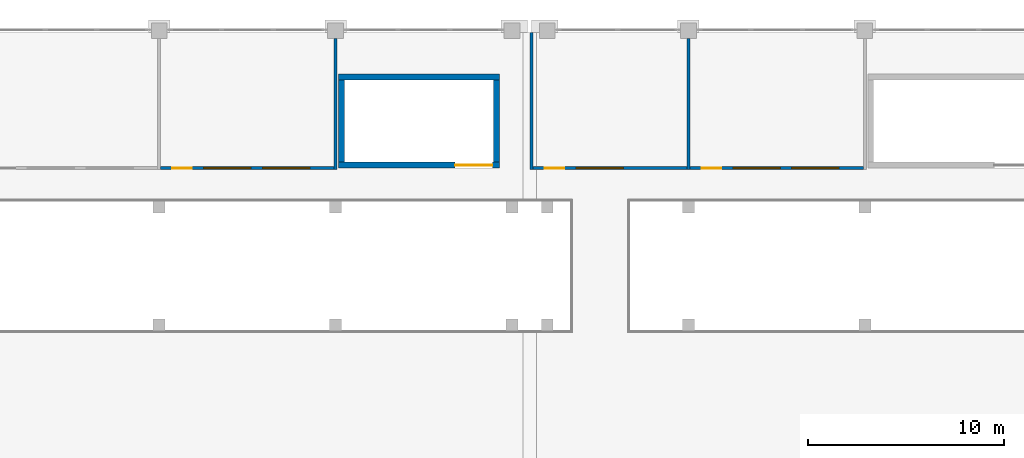
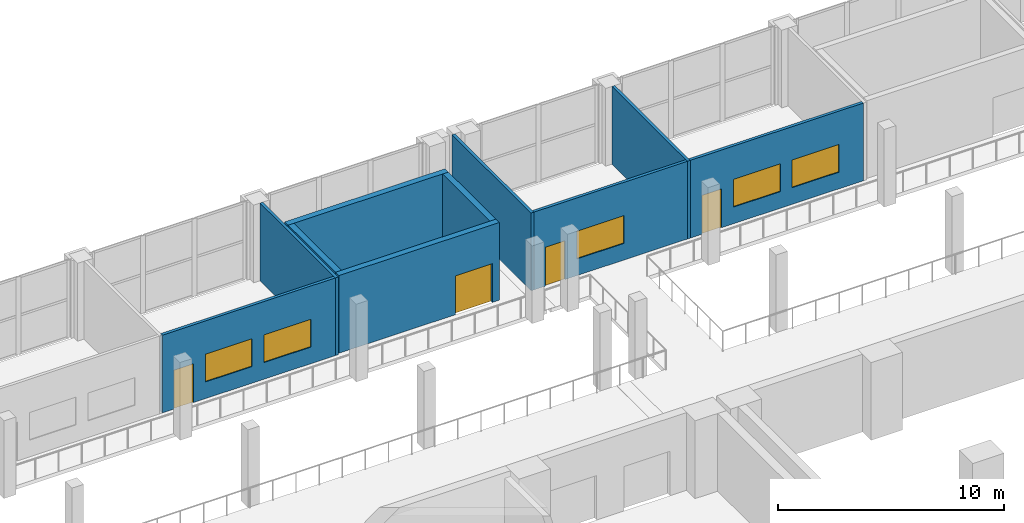
# One storey, part 20 of 39: 10 walls, 5 windows, 4 doors, 9 openings.
"""IFC4 building model written with IfcOpenShell, lengths in metres."""

from ifc_helpers import new_model, si_unit, direction, frame, frame_2d, origin, place, context, subcontext, project, spatial, rectangle, extrude, material, layer, layer_set, type_object, element, fill, save


model = new_model("IFC4")

# Units and contexts
model_context = context("Model", 3, precision=1e-05, world=origin(), true_north=direction((0.0, 1.0)))
body_context = subcontext(model_context, "Body", "Model", "MODEL_VIEW")
ifc_project = project(units=[si_unit("LENGTHUNIT", "METRE"), si_unit("AREAUNIT", "SQUARE_METRE"), si_unit("VOLUMEUNIT", "CUBIC_METRE"), si_unit("PLANEANGLEUNIT", "RADIAN"), si_unit("MASSUNIT", "GRAM", prefix="KILO")], contexts=[model_context])

# Site, building, storey
site_placement = place(None, origin())
site = spatial("IfcSite", under=ifc_project, at=site_placement, CompositionType="ELEMENT")
building_placement = place(site_placement, origin())
building = spatial("IfcBuilding", under=site, at=building_placement, Name="Aravalli Gate Trade Fair Centre", CompositionType="ELEMENT")
storey_placement = place(building_placement, frame((0.0, 0.0, 15.0)))
storey = spatial("IfcBuildingStorey", under=building, at=storey_placement, Name="L03", CompositionType="ELEMENT", Elevation=15.0)

# Wall, openings, windows, door
ifc_material_1 = material(Name="Gypsum board")
ifc_layer_1 = layer(ifc_material_1, 0.02490234375, Name="Gypsum board lining")
ifc_material_2 = material(Name="Galvanised stud framing")
ifc_layer_2 = layer(ifc_material_2, 0.10009765625, Name="Stud framing")
ifc_layer_3 = layer(ifc_material_1, 0.02490234375, Name="Gypsum board lining")
ifc_layer_set_1 = layer_set([ifc_layer_1, ifc_layer_2, ifc_layer_3], Name="Partition wall 150")
wall_type_1 = type_object("IfcWallType", Name="Partition wall 150", PredefinedType="PARTITIONING", material=ifc_layer_set_1)
wall_1_placement = place(storey_placement, frame((87.074951171875, 126.0, 0.0), z_axis=(0.0, 0.0, 1.0), x_axis=(1.0, 0.0, 0.0)))
wall_1 = element("IfcWall", 1, at=wall_1_placement, inside=storey, type_object=wall_type_1, Name="Partition Meeting Room 4 south L03", PredefinedType="PARTITIONING", context=body_context, shape_type="SweptSolid", body=[
    extrude(rectangle(XDim=8.85009765625, YDim=0.14990234375, at=frame_2d((4.425048828125, 0.0))), origin(), (0.0, 0.0, 1.0), 4.199951171875),
])
opening_1_placement = place(wall_1_placement, frame((0.60009765625, 0.0, 0.0)))
opening_1 = element("IfcOpeningElement", 2, at=opening_1_placement, cuts=wall_1, Name="Opening C-L03-18", PredefinedType="OPENING", context=body_context, shape_type="SweptSolid", body=[
    extrude(rectangle(XDim=1.0, YDim=2.10009765625, at=frame_2d((0.5, 1.050048828125))), frame((0.0, 0.0849609375, 0.0), z_axis=(0.0, -1.0, 0.0), x_axis=(1.0, 0.0, 0.0)), (0.0, 0.0, 1.0), 0.169921875),
])
opening_2_placement = place(wall_1_placement, frame((2.199951171875, 0.0, 0.89990234375)))
opening_2 = element("IfcOpeningElement", 3, at=opening_2_placement, cuts=wall_1, Name="Opening WI1", PredefinedType="OPENING", context=body_context, shape_type="SweptSolid", body=[
    extrude(rectangle(XDim=2.39990234375, YDim=1.5, at=frame_2d((1.199951171875, 0.75))), frame((0.0, 0.0849609375, 0.0), z_axis=(0.0, -1.0, 0.0), x_axis=(1.0, 0.0, 0.0)), (0.0, 0.0, 1.0), 0.169921875),
])
opening_3_placement = place(wall_1_placement, frame((5.199951171875, 0.0, 0.89990234375)))
opening_3 = element("IfcOpeningElement", 4, at=opening_3_placement, cuts=wall_1, Name="Opening WI1", PredefinedType="OPENING", context=body_context, shape_type="SweptSolid", body=[
    extrude(rectangle(XDim=2.39990234375, YDim=1.5, at=frame_2d((1.199951171875, 0.75))), frame((0.0, 0.0849609375, 0.0), z_axis=(0.0, -1.0, 0.0), x_axis=(1.0, 0.0, 0.0)), (0.0, 0.0, 1.0), 0.169921875),
])
ifc_material_3 = material(Name="Glass, fire rated", Category="glass")
window_type = type_object("IfcWindowType", Name="Interior glazed screen 2400 x 1500", PartitioningType="SINGLE_PANEL", PredefinedType="WINDOW", material=ifc_material_3)
window_1_placement = place(opening_2_placement, origin())
window_1 = element("IfcWindow", 5, at=window_1_placement, inside=storey, type_object=window_type, Name="Interior window Meeting Room 4 1 L03", OverallHeight=1.5, OverallWidth=2.39990234375, PartitioningType="SINGLE_PANEL", PredefinedType="WINDOW", context=body_context, shape_type="SweptSolid", body=[
    extrude(rectangle(XDim=2.39990234375, YDim=1.5, at=frame_2d((1.199951171875, 0.75))), frame((0.0, 0.030029296875, 0.0), z_axis=(0.0, -1.0, 0.0), x_axis=(1.0, 0.0, 0.0)), (0.0, 0.0, 1.0), 0.06005859375),
])
fill(opening_2, window_1)
window_2_placement = place(opening_3_placement, origin())
window_2 = element("IfcWindow", 6, at=window_2_placement, inside=storey, type_object=window_type, Name="Interior window Meeting Room 4 2 L03", OverallHeight=1.5, OverallWidth=2.39990234375, PartitioningType="SINGLE_PANEL", PredefinedType="WINDOW", context=body_context, shape_type="SweptSolid", body=[
    extrude(rectangle(XDim=2.39990234375, YDim=1.5, at=frame_2d((1.199951171875, 0.75))), frame((0.0, 0.030029296875, 0.0), z_axis=(0.0, -1.0, 0.0), x_axis=(1.0, 0.0, 0.0)), (0.0, 0.0, 1.0), 0.06005859375),
])
fill(opening_3, window_2)
ifc_material_4 = material(Name="Steel, fire rated", Category="steel")
door_type_1 = type_object("IfcDoorType", Name="Room door 1000 x 2100", OperationType="SINGLE_SWING_RIGHT", PredefinedType="NOTDEFINED", material=ifc_material_4)
door_1_placement = place(opening_1_placement, origin())
door_1 = element("IfcDoor", 7, at=door_1_placement, inside=storey, type_object=door_type_1, Name="Door Meeting Room 4 L03", OperationType="SINGLE_SWING_LEFT", OverallHeight=2.10009765625, OverallWidth=1.0, PredefinedType="NOTDEFINED", context=body_context, shape_type="SweptSolid", body=[
    extrude(rectangle(XDim=1.0, YDim=2.10009765625, at=frame_2d((0.5, 1.050048828125))), frame((0.0, 0.02490234375, 0.0), z_axis=(0.0, -1.0, 0.0), x_axis=(1.0, 0.0, 0.0)), (0.0, 0.0, 1.0), 0.050048828125),
])
fill(opening_1, door_1)

# Wall
wall_2_placement = place(storey_placement, frame((96.0, 125.925048828125, 0.0), z_axis=(0.0, 0.0, 1.0), x_axis=(0.0, 1.0, 0.0)))
element("IfcWall", 8, at=wall_2_placement, inside=storey, type_object=wall_type_1, Name="Partition 9600 L03", PredefinedType="PARTITIONING", context=body_context, shape_type="SweptSolid", body=[
    extrude(rectangle(XDim=6.675048828125, YDim=0.14990234375, at=frame_2d((3.33740234375, 0.0))), origin(), (0.0, 0.0, 1.0), 4.199951171875),
])

# Wall, openings, window, door
wall_3_placement = place(storey_placement, frame((106.074951171875, 126.0, 0.0), z_axis=(0.0, 0.0, 1.0), x_axis=(1.0, 0.0, 0.0)))
wall_3 = element("IfcWall", 9, at=wall_3_placement, inside=storey, type_object=wall_type_1, Name="Partition Meeting Room 5 south L03", PredefinedType="PARTITIONING", context=body_context, shape_type="SweptSolid", body=[
    extrude(rectangle(XDim=7.85009765625, YDim=0.14990234375, at=frame_2d((3.925048828125, 0.0))), origin(), (0.0, 0.0, 1.0), 4.199951171875),
])
opening_4_placement = place(wall_3_placement, frame((0.60009765625, 0.0, 0.0)))
opening_4 = element("IfcOpeningElement", 10, at=opening_4_placement, cuts=wall_3, Name="Opening C-L03-19", PredefinedType="OPENING", context=body_context, shape_type="SweptSolid", body=[
    extrude(rectangle(XDim=1.0, YDim=2.10009765625, at=frame_2d((0.5, 1.050048828125))), frame((0.0, 0.0849609375, 0.0), z_axis=(0.0, -1.0, 0.0), x_axis=(1.0, 0.0, 0.0)), (0.0, 0.0, 1.0), 0.169921875),
])
opening_5_placement = place(wall_3_placement, frame((2.199951171875, 0.0, 0.89990234375)))
opening_5 = element("IfcOpeningElement", 11, at=opening_5_placement, cuts=wall_3, Name="Opening WI1", PredefinedType="OPENING", context=body_context, shape_type="SweptSolid", body=[
    extrude(rectangle(XDim=2.39990234375, YDim=1.5, at=frame_2d((1.199951171875, 0.75))), frame((0.0, 0.0849609375, 0.0), z_axis=(0.0, -1.0, 0.0), x_axis=(1.0, 0.0, 0.0)), (0.0, 0.0, 1.0), 0.169921875),
])
window_3_placement = place(opening_5_placement, origin())
window_3 = element("IfcWindow", 12, at=window_3_placement, inside=storey, type_object=window_type, Name="Interior window Meeting Room 5 1 L03", OverallHeight=1.5, OverallWidth=2.39990234375, PartitioningType="SINGLE_PANEL", PredefinedType="WINDOW", context=body_context, shape_type="SweptSolid", body=[
    extrude(rectangle(XDim=2.39990234375, YDim=1.5, at=frame_2d((1.199951171875, 0.75))), frame((0.0, 0.030029296875, 0.0), z_axis=(0.0, -1.0, 0.0), x_axis=(1.0, 0.0, 0.0)), (0.0, 0.0, 1.0), 0.06005859375),
])
fill(opening_5, window_3)
door_2_placement = place(opening_4_placement, origin())
door_2 = element("IfcDoor", 13, at=door_2_placement, inside=storey, type_object=door_type_1, Name="Door Meeting Room 5 L03", OperationType="SINGLE_SWING_LEFT", OverallHeight=2.10009765625, OverallWidth=1.0, PredefinedType="NOTDEFINED", context=body_context, shape_type="SweptSolid", body=[
    extrude(rectangle(XDim=1.0, YDim=2.10009765625, at=frame_2d((0.5, 1.050048828125))), frame((0.0, 0.02490234375, 0.0), z_axis=(0.0, -1.0, 0.0), x_axis=(1.0, 0.0, 0.0)), (0.0, 0.0, 1.0), 0.050048828125),
])
fill(opening_4, door_2)

# Walls
wall_4_placement = place(storey_placement, frame((106.0, 125.925048828125, 0.0), z_axis=(0.0, 0.0, 1.0), x_axis=(0.0, 1.0, 0.0)))
element("IfcWall", 14, at=wall_4_placement, inside=storey, type_object=wall_type_1, Name="Partition 10600 L03", PredefinedType="PARTITIONING", context=body_context, shape_type="SweptSolid", body=[
    extrude(rectangle(XDim=6.994873046875, YDim=0.14990234375, at=frame_2d((3.49755859375, 0.0))), origin(), (0.0, 0.0, 1.0), 4.199951171875),
])
wall_5_placement = place(storey_placement, frame((114.0, 125.925048828125, 0.0), z_axis=(0.0, 0.0, 1.0), x_axis=(0.0, 1.0, 0.0)))
element("IfcWall", 15, at=wall_5_placement, inside=storey, type_object=wall_type_1, Name="Partition 11400 L03", PredefinedType="PARTITIONING", context=body_context, shape_type="SweptSolid", body=[
    extrude(rectangle(XDim=6.675048828125, YDim=0.14990234375, at=frame_2d((3.33740234375, 0.0))), origin(), (0.0, 0.0, 1.0), 4.199951171875),
])

# Wall, openings, windows, door
wall_6_placement = place(storey_placement, frame((114.074951171875, 126.0, 0.0), z_axis=(0.0, 0.0, 1.0), x_axis=(1.0, 0.0, 0.0)))
wall_6 = element("IfcWall", 16, at=wall_6_placement, inside=storey, type_object=wall_type_1, Name="Partition Meeting Room 6 south L03", PredefinedType="PARTITIONING", context=body_context, shape_type="SweptSolid", body=[
    extrude(rectangle(XDim=8.85009765625, YDim=0.14990234375, at=frame_2d((4.425048828125, 0.0))), origin(), (0.0, 0.0, 1.0), 4.199951171875),
])
opening_6_placement = place(wall_6_placement, frame((0.60009765625, 0.0, 0.0)))
opening_6 = element("IfcOpeningElement", 17, at=opening_6_placement, cuts=wall_6, Name="Opening C-L03-20", PredefinedType="OPENING", context=body_context, shape_type="SweptSolid", body=[
    extrude(rectangle(XDim=1.0, YDim=2.10009765625, at=frame_2d((0.5, 1.050048828125))), frame((0.0, 0.0849609375, 0.0), z_axis=(0.0, -1.0, 0.0), x_axis=(1.0, 0.0, 0.0)), (0.0, 0.0, 1.0), 0.169921875),
])
opening_7_placement = place(wall_6_placement, frame((2.199951171875, 0.0, 0.89990234375)))
opening_7 = element("IfcOpeningElement", 18, at=opening_7_placement, cuts=wall_6, Name="Opening WI1", PredefinedType="OPENING", context=body_context, shape_type="SweptSolid", body=[
    extrude(rectangle(XDim=2.39990234375, YDim=1.5, at=frame_2d((1.199951171875, 0.75))), frame((0.0, 0.0849609375, 0.0), z_axis=(0.0, -1.0, 0.0), x_axis=(1.0, 0.0, 0.0)), (0.0, 0.0, 1.0), 0.169921875),
])
opening_8_placement = place(wall_6_placement, frame((5.199951171875, 0.0, 0.89990234375)))
opening_8 = element("IfcOpeningElement", 19, at=opening_8_placement, cuts=wall_6, Name="Opening WI1", PredefinedType="OPENING", context=body_context, shape_type="SweptSolid", body=[
    extrude(rectangle(XDim=2.39990234375, YDim=1.5, at=frame_2d((1.199951171875, 0.75))), frame((0.0, 0.0849609375, 0.0), z_axis=(0.0, -1.0, 0.0), x_axis=(1.0, 0.0, 0.0)), (0.0, 0.0, 1.0), 0.169921875),
])
window_4_placement = place(opening_7_placement, origin())
window_4 = element("IfcWindow", 20, at=window_4_placement, inside=storey, type_object=window_type, Name="Interior window Meeting Room 6 1 L03", OverallHeight=1.5, OverallWidth=2.39990234375, PartitioningType="SINGLE_PANEL", PredefinedType="WINDOW", context=body_context, shape_type="SweptSolid", body=[
    extrude(rectangle(XDim=2.39990234375, YDim=1.5, at=frame_2d((1.199951171875, 0.75))), frame((0.0, 0.030029296875, 0.0), z_axis=(0.0, -1.0, 0.0), x_axis=(1.0, 0.0, 0.0)), (0.0, 0.0, 1.0), 0.06005859375),
])
fill(opening_7, window_4)
window_5_placement = place(opening_8_placement, origin())
window_5 = element("IfcWindow", 21, at=window_5_placement, inside=storey, type_object=window_type, Name="Interior window Meeting Room 6 2 L03", OverallHeight=1.5, OverallWidth=2.39990234375, PartitioningType="SINGLE_PANEL", PredefinedType="WINDOW", context=body_context, shape_type="SweptSolid", body=[
    extrude(rectangle(XDim=2.39990234375, YDim=1.5, at=frame_2d((1.199951171875, 0.75))), frame((0.0, 0.030029296875, 0.0), z_axis=(0.0, -1.0, 0.0), x_axis=(1.0, 0.0, 0.0)), (0.0, 0.0, 1.0), 0.06005859375),
])
fill(opening_8, window_5)
door_3_placement = place(opening_6_placement, origin())
door_3 = element("IfcDoor", 22, at=door_3_placement, inside=storey, type_object=door_type_1, Name="Door Meeting Room 6 L03", OperationType="SINGLE_SWING_LEFT", OverallHeight=2.10009765625, OverallWidth=1.0, PredefinedType="NOTDEFINED", context=body_context, shape_type="SweptSolid", body=[
    extrude(rectangle(XDim=1.0, YDim=2.10009765625, at=frame_2d((0.5, 1.050048828125))), frame((0.0, 0.02490234375, 0.0), z_axis=(0.0, -1.0, 0.0), x_axis=(1.0, 0.0, 0.0)), (0.0, 0.0, 1.0), 0.050048828125),
])
fill(opening_6, door_3)

# Wall, opening, door
ifc_material_5 = material(Name="Concrete M40", Category="concrete")
ifc_layer_4 = layer(ifc_material_5, 0.300048828125)
ifc_layer_set_2 = layer_set([ifc_layer_4], Name="Concrete M40")
wall_type_2 = type_object("IfcWallType", Name="RC core wall 300", PredefinedType="SHEAR", material=ifc_layer_set_2)
wall_7_placement = place(storey_placement, frame((96.14990234375, 126.14990234375, 0.0), z_axis=(0.0, 0.0, 1.0), x_axis=(1.0, 0.0, 0.0)))
wall_7 = element("IfcWall", 23, at=wall_7_placement, inside=storey, type_object=wall_type_2, Name="Core wall XDS L03", PredefinedType="SHEAR", context=body_context, shape_type="SweptSolid", body=[
    extrude(rectangle(XDim=8.2001953125, YDim=0.300048828125, at=frame_2d((4.10009765625, 0.0))), origin(), (0.0, 0.0, 1.0), 4.199951171875),
])
opening_9_placement = place(wall_7_placement, frame((5.949951171875, 0.0, 0.0)))
opening_9 = element("IfcOpeningElement", 24, at=opening_9_placement, cuts=wall_7, Name="Opening C-L03-10", PredefinedType="OPENING", context=body_context, shape_type="SweptSolid", body=[
    extrude(rectangle(XDim=1.89990234375, YDim=2.10009765625, at=frame_2d((0.949951171875, 1.050048828125))), frame((0.0, 0.159912109375, 0.0), z_axis=(0.0, -1.0, 0.0), x_axis=(1.0, 0.0, 0.0)), (0.0, 0.0, 1.0), 0.320068359375),
])
door_type_2 = type_object("IfcDoorType", Name="Concourse stair door 1900 x 2100", OperationType="DOUBLE_DOOR_SINGLE_SWING", PredefinedType="NOTDEFINED", material=ifc_material_4)
door_4_placement = place(opening_9_placement, origin())
door_4 = element("IfcDoor", 25, at=door_4_placement, inside=storey, type_object=door_type_2, Name="Stair door XD L03", OperationType="DOUBLE_DOOR_SINGLE_SWING", OverallHeight=2.10009765625, OverallWidth=1.89990234375, PredefinedType="NOTDEFINED", context=body_context, shape_type="SweptSolid", body=[
    extrude(rectangle(XDim=1.89990234375, YDim=2.10009765625, at=frame_2d((0.949951171875, 1.050048828125))), frame((0.0, 0.02490234375, 0.0), z_axis=(0.0, -1.0, 0.0), x_axis=(1.0, 0.0, 0.0)), (0.0, 0.0, 1.0), 0.050048828125),
])
fill(opening_9, door_4)

# Walls
wall_8_placement = place(storey_placement, frame((96.14990234375, 130.64990234375, 0.0), z_axis=(0.0, 0.0, 1.0), x_axis=(1.0, 0.0, 0.0)))
element("IfcWall", 26, at=wall_8_placement, inside=storey, type_object=wall_type_2, Name="Core wall XDN L03", PredefinedType="SHEAR", context=body_context, shape_type="SweptSolid", body=[
    extrude(rectangle(XDim=8.2001953125, YDim=0.300048828125, at=frame_2d((4.10009765625, 0.0))), origin(), (0.0, 0.0, 1.0), 4.199951171875),
])
for number, where, z_axis, x_axis, name in (
    (27, (96.300048828125, 126.300048828125, 0.0), (0.0, 0.0, 1.0), (0.0, 1.0, 0.0), "Core wall XDW L03"),
    (28, (104.199951171875, 126.300048828125, 0.0), (0.0, 0.0, 1.0), (0.0, 1.0, 0.0), "Core wall XDE L03"),
):
    element("IfcWall", number, at=place(storey_placement, frame(where, z_axis=z_axis, x_axis=x_axis)), inside=storey, type_object=wall_type_2, Name=name, PredefinedType="SHEAR", context=body_context, shape_type="SweptSolid", body=[
        extrude(rectangle(XDim=4.199951171875, YDim=0.300048828125, at=frame_2d((2.10009765625, 0.0))), origin(), (0.0, 0.0, 1.0), 4.199951171875),
    ])

save(model, "model.ifc")
